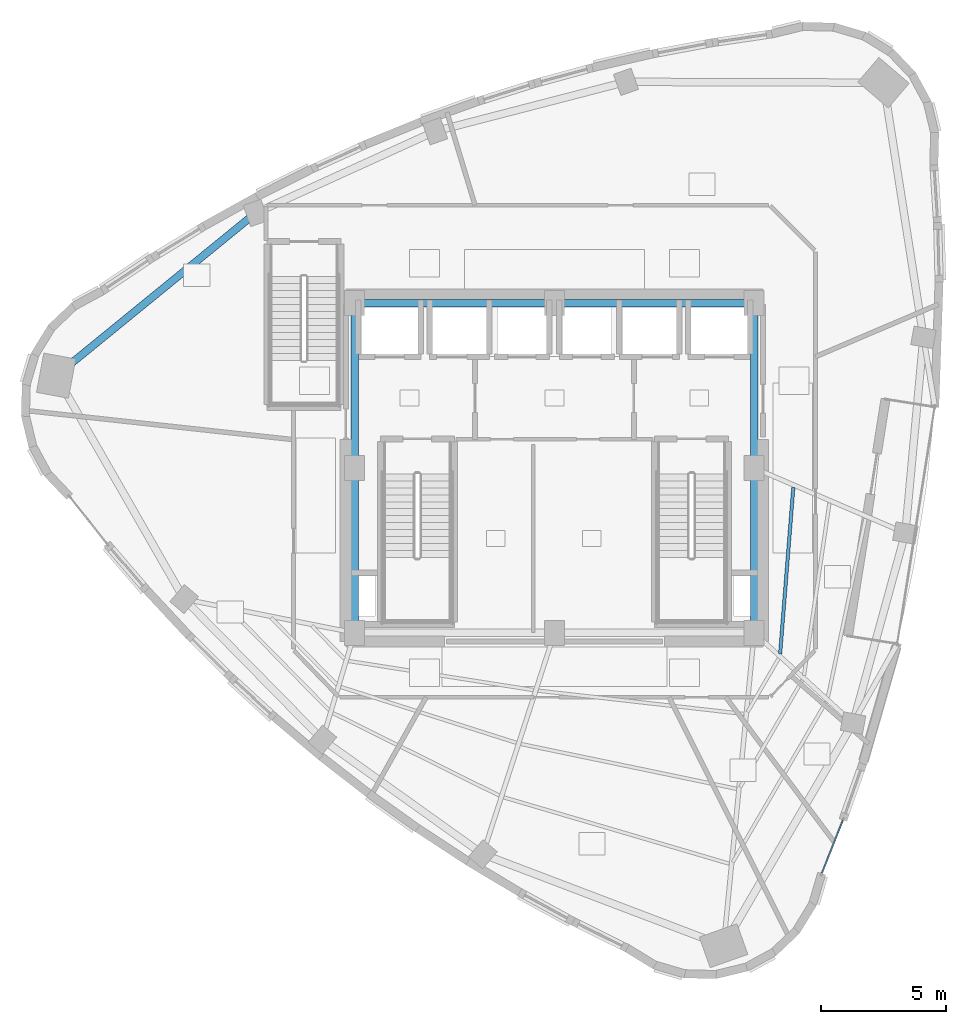
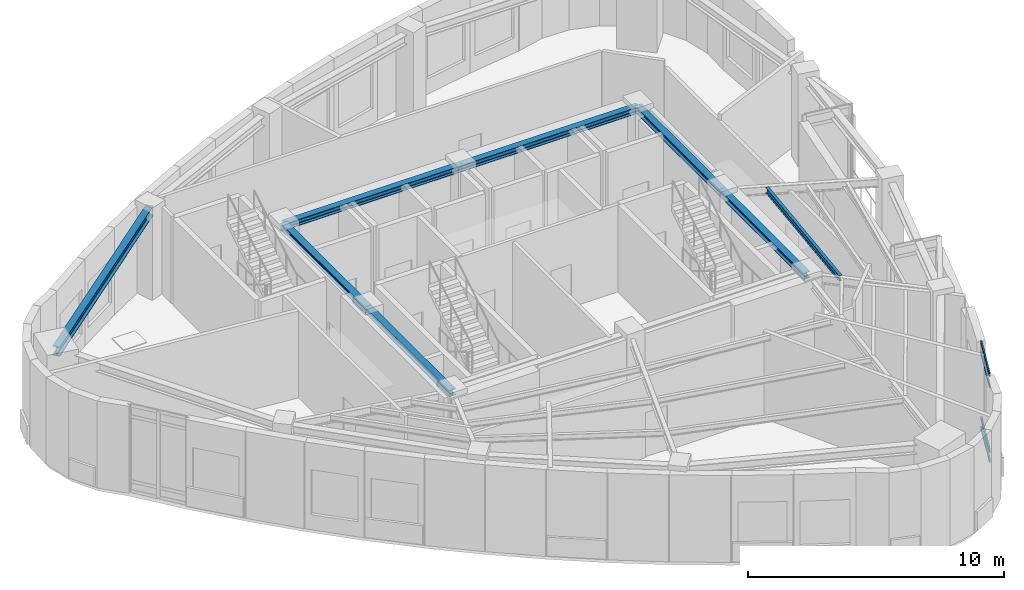
# One storey, part 5 of 14: 8 beams, 4 members, 1 element without a shape of its own.
"""IFC4 building model written with IfcOpenShell, lengths in metres."""

from ifc_helpers import new_model, si_unit, direction, frame, origin, origin_2d, place, context, subcontext, project, spatial, hollow_rectangle, i_section, extrude, material, layer, layer_set, material_profile, profile_set, type_object, element, aggregate, save


model = new_model("IFC4")

# Units and contexts
model_context = context("Model", 3, precision=1e-05, world=origin(), true_north=direction((0.0, 1.0)))
body_context = subcontext(model_context, "Body", "Model", "MODEL_VIEW")
ifc_project = project(units=[si_unit("LENGTHUNIT", "METRE"), si_unit("AREAUNIT", "SQUARE_METRE"), si_unit("VOLUMEUNIT", "CUBIC_METRE"), si_unit("PLANEANGLEUNIT", "RADIAN"), si_unit("MASSUNIT", "GRAM", prefix="KILO")], contexts=[model_context])

# Site, building, storey
site_placement = place(None, origin())
site = spatial("IfcSite", under=ifc_project, at=site_placement, CompositionType="ELEMENT")
building_placement = place(site_placement, origin())
building = spatial("IfcBuilding", under=site, at=building_placement, Name="Ndelora Gate Hotel", CompositionType="ELEMENT")
storey_placement = place(building_placement, frame((0.0, 0.0, 277.199951171875)))
storey = spatial("IfcBuildingStorey", under=building, at=storey_placement, Name="L69", CompositionType="ELEMENT", Elevation=277.199951171875)

# Beams
ifc_material_1 = material(Name="Steel S355", Category="steel")
ifc_material_profile_1 = material_profile(ifc_material_1, i_section(OverallWidth=0.300048828125, OverallDepth=0.300048828125, WebThickness=0.010986328125, FlangeThickness=0.01904296875, FilletRadius=0.027099609375, at=origin_2d()), Name="HEB 300")
ifc_profile_set_1 = profile_set([ifc_material_profile_1], Name="Steel S355")
beam_type_1 = type_object("IfcBeamType", Name="BM-CORE-300", PredefinedType="BEAM", material=ifc_profile_set_1)
for number, where, z_axis, x_axis, name in (
    (1, (-8.0, 6.60009765625, 4.0), (1.0, 0.0, 0.0), (0.0, 1.0, 0.0), "L69 Core Tie Girder CC7-CC6"),
    (2, (0.0, 6.60009765625, 4.0), (1.0, 0.0, 0.0), (0.0, 1.0, 0.0), "L69 Core Tie Girder CC6-CC5"),
):
    element("IfcBeam", number, at=place(storey_placement, frame(where, z_axis=z_axis, x_axis=x_axis)), inside=storey, type_object=beam_type_1, Name=name, PredefinedType="BEAM", context=body_context, shape_type="SweptSolid", body=[
        extrude(i_section(OverallWidth=0.300048828125, OverallDepth=0.300048828125, WebThickness=0.010986328125, FlangeThickness=0.01904296875, FilletRadius=0.027099609375, at=origin_2d()), origin(), (0.0, 0.0, 1.0), 8.0),
    ])
for number, where, z_axis, x_axis, name in (
    (3, (-8.0, -6.60009765625, 4.0), (0.0, 1.0, 0.0), (-1.0, 0.0, 0.0), "L69 Core Tie Girder CC1-CC8"),
    (4, (-8.0, 0.0, 4.0), (0.0, 1.0, 0.0), (-1.0, 0.0, 0.0), "L69 Core Tie Girder CC8-CC7"),
    (5, (8.0, -6.60009765625, 4.0), (0.0, 1.0, 0.0), (-1.0, 0.0, 0.0), "L69 Core Tie Girder CC3-CC4"),
    (6, (8.0, 0.0, 4.0), (0.0, 1.0, 0.0), (-1.0, 0.0, 0.0), "L69 Core Tie Girder CC4-CC5"),
):
    element("IfcBeam", number, at=place(storey_placement, frame(where, z_axis=z_axis, x_axis=x_axis)), inside=storey, type_object=beam_type_1, Name=name, PredefinedType="BEAM", context=body_context, shape_type="SweptSolid", body=[
        extrude(i_section(OverallWidth=0.300048828125, OverallDepth=0.300048828125, WebThickness=0.010986328125, FlangeThickness=0.01904296875, FilletRadius=0.027099609375, at=origin_2d()), origin(), (0.0, 0.0, 1.0), 6.60009765625),
    ])
ifc_material_profile_2 = material_profile(ifc_material_1, i_section(OverallWidth=0.135009765625, OverallDepth=0.27001953125, WebThickness=0.006591796875, FlangeThickness=0.01025390625, FilletRadius=0.014892578125, at=origin_2d()), Name="IPE 270")
ifc_profile_set_2 = profile_set([ifc_material_profile_2], Name="Steel S355")
beam_type_2 = type_object("IfcBeamType", Name="BM-JST-270", PredefinedType="JOIST", material=ifc_profile_set_2)
beam_1_placement = place(storey_placement, frame((9.03662109375, -7.439453125, 4.01513671875), z_axis=(0.079081730742, 0.996868135644, 0.0), x_axis=(-0.996868135644, 0.079081730742, 0.0)))
element("IfcBeam", 7, at=beam_1_placement, inside=storey, type_object=beam_type_2, Name="L69 Secondary Composite Floor Joist IN-6", PredefinedType="JOIST", context=body_context, shape_type="SweptSolid", body=[
    extrude(i_section(OverallWidth=0.135009765625, OverallDepth=0.27001953125, WebThickness=0.006591796875, FlangeThickness=0.01025390625, FilletRadius=0.014892578125, at=origin_2d()), origin(), (0.0, 0.0, 1.0), 6.683837890625),
])
ifc_material_profile_3 = material_profile(ifc_material_1, i_section(OverallWidth=0.300048828125, OverallDepth=0.449951171875, WebThickness=0.013916015625, FlangeThickness=0.02587890625, FilletRadius=0.027099609375, at=origin_2d()), Name="HEB 450")
ifc_profile_set_3 = profile_set([ifc_material_profile_3], Name="Steel S355")
beam_type_3 = type_object("IfcBeamType", Name="BM-RING-450", PredefinedType="SPANDREL", material=ifc_profile_set_3)
beam_2_placement = place(storey_placement, frame((-11.956787109375, 10.212158203125, 3.925048828125), z_axis=(-0.775154250258, -0.631772022416, 0.0), x_axis=(0.631772022416, -0.775154250258, 0.0)))
element("IfcBeam", 8, at=beam_2_placement, inside=storey, type_object=beam_type_3, Name="L69 Perimeter Spandrel Girder 12", PredefinedType="SPANDREL", context=body_context, shape_type="SweptSolid", body=[
    extrude(i_section(OverallWidth=0.300048828125, OverallDepth=0.449951171875, WebThickness=0.013916015625, FlangeThickness=0.02587890625, FilletRadius=0.027099609375, at=origin_2d()), origin(), (0.0, 0.0, 1.0), 10.311767578125),
])

# Curtain wall, members
ifc_material_2 = material(Name="Bronze Anodised Unitised Aluminium and Low-E Glass", Category="aluminium")
ifc_layer = layer(ifc_material_2, 0.219970703125)
ifc_layer_set = layer_set([ifc_layer], Name="Bronze Anodised Unitised Aluminium and Low-E Glass")
curtain_wall_type = type_object("IfcCurtainWallType", Name="CW-SYS-6", PredefinedType="NOTDEFINED", material=ifc_layer_set)
curtain_wall_placement = place(storey_placement, origin())
curtain_wall = element("IfcCurtainWall", 9, at=curtain_wall_placement, inside=storey, type_object=curtain_wall_type, Name="L69 Crown Sky-Restaurant & Cocktail Bar Curtain Wall 2", PredefinedType="NOTDEFINED")
ifc_material_3 = material(Name="Bronze Anodised Aluminium 6063-T6", Category="aluminium")
ifc_material_profile_4 = material_profile(ifc_material_3, hollow_rectangle(XDim=0.06494140625, YDim=0.159912109375, WallThickness=0.00390625, InnerFilletRadius=0.00390625, OuterFilletRadius=0.008056640625, at=origin_2d()), Name="ALU 160x65x4")
ifc_profile_set_4 = profile_set([ifc_material_profile_4], Name="Bronze Anodised Aluminium 6063-T6")
member_type = type_object("IfcMemberType", Name="MB-CW-TRN150", PredefinedType="USERDEFINED", material=ifc_profile_set_4)
member_1_placement = place(storey_placement, frame((10.708251953125, -16.222900390625, 0.032470703125), z_axis=(0.368435936435, 0.929653140017, 0.0), x_axis=(-0.929653140017, 0.368435936435, 0.0)))
member_1 = element("IfcMember", 10, at=member_1_placement, type_object=member_type, Name="CW6 transom 1.1", ObjectType="TRANSOM", PredefinedType="USERDEFINED", context=body_context, shape_type="SweptSolid", body=[
    extrude(hollow_rectangle(XDim=0.06494140625, YDim=0.159912109375, WallThickness=0.00390625, InnerFilletRadius=0.00390625, OuterFilletRadius=0.008056640625, at=origin_2d()), origin(), (0.0, 0.0, 1.0), 2.28076171875),
])
member_2_placement = place(storey_placement, frame((10.708251953125, -16.222900390625, 0.5), z_axis=(0.368435936435, 0.929653140017, 0.0), x_axis=(-0.929653140017, 0.368435936435, 0.0)))
member_2 = element("IfcMember", 11, at=member_2_placement, type_object=member_type, Name="CW6 transom 1.2", ObjectType="TRANSOM", PredefinedType="USERDEFINED", context=body_context, shape_type="SweptSolid", body=[
    extrude(hollow_rectangle(XDim=0.06494140625, YDim=0.159912109375, WallThickness=0.00390625, InnerFilletRadius=0.00390625, OuterFilletRadius=0.008056640625, at=origin_2d()), origin(), (0.0, 0.0, 1.0), 2.28076171875),
])
member_3_placement = place(storey_placement, frame((10.708251953125, -16.222900390625, 3.60009765625), z_axis=(0.368435936435, 0.929653140017, 0.0), x_axis=(-0.929653140017, 0.368435936435, 0.0)))
member_3 = element("IfcMember", 12, at=member_3_placement, type_object=member_type, Name="CW6 transom 1.3", ObjectType="TRANSOM", PredefinedType="USERDEFINED", context=body_context, shape_type="SweptSolid", body=[
    extrude(hollow_rectangle(XDim=0.06494140625, YDim=0.159912109375, WallThickness=0.00390625, InnerFilletRadius=0.00390625, OuterFilletRadius=0.008056640625, at=origin_2d()), origin(), (0.0, 0.0, 1.0), 2.28076171875),
])
member_4_placement = place(storey_placement, frame((10.708251953125, -16.222900390625, 4.117431640625), z_axis=(0.368435936435, 0.929653140017, 0.0), x_axis=(-0.929653140017, 0.368435936435, 0.0)))
member_4 = element("IfcMember", 13, at=member_4_placement, type_object=member_type, Name="CW6 transom 1.4", ObjectType="TRANSOM", PredefinedType="USERDEFINED", context=body_context, shape_type="SweptSolid", body=[
    extrude(hollow_rectangle(XDim=0.06494140625, YDim=0.159912109375, WallThickness=0.00390625, InnerFilletRadius=0.00390625, OuterFilletRadius=0.008056640625, at=origin_2d()), origin(), (0.0, 0.0, 1.0), 2.28076171875),
])
aggregate(curtain_wall, [member_1, member_2, member_3, member_4])

save(model, "model.ifc")
